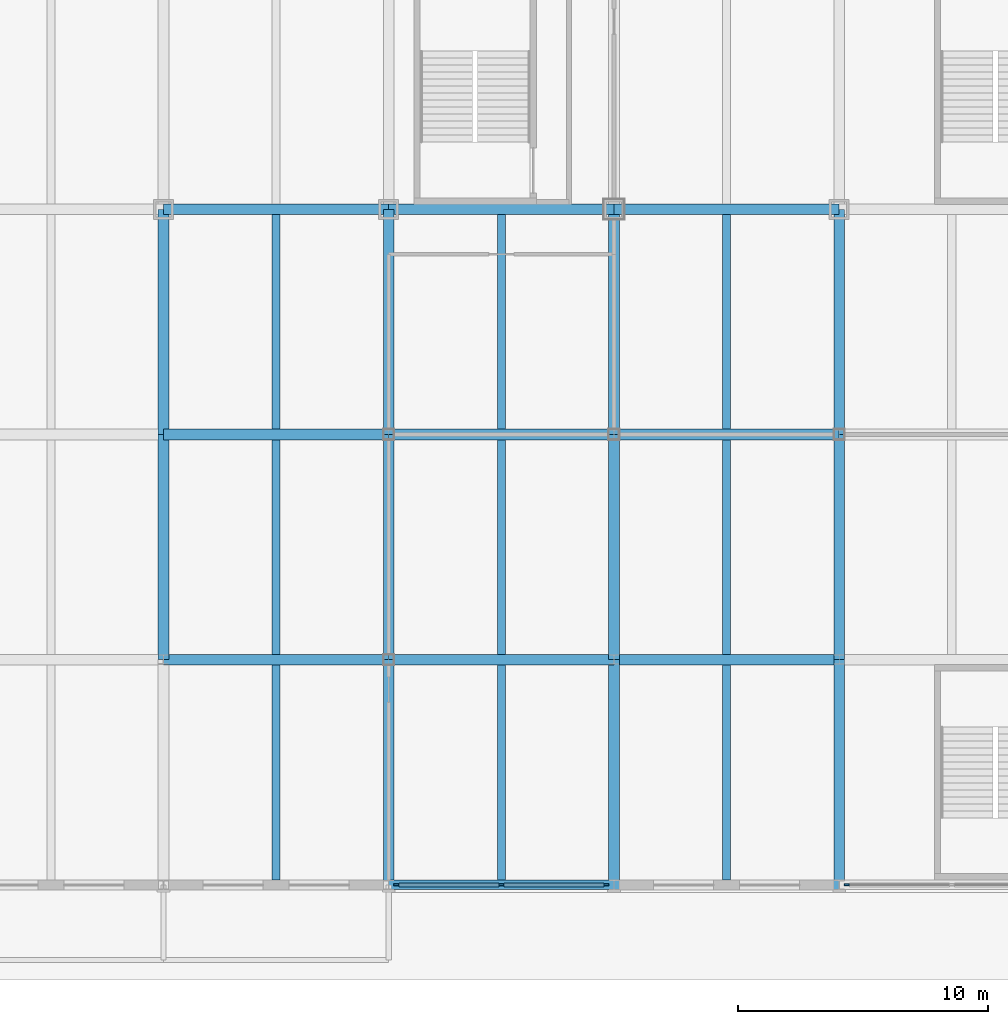
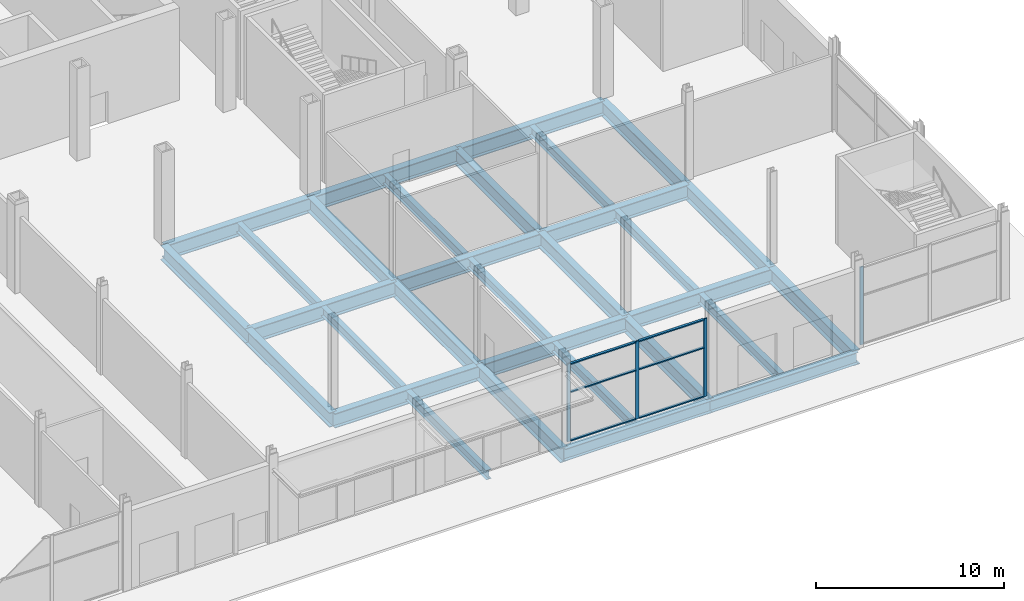
# One storey, part 8 of 34: 31 beams, 10 members, 2 elements without a shape of their own.
"""IFC4 building model written with IfcOpenShell, lengths in metres."""

from ifc_helpers import new_model, si_unit, direction, frame, origin, origin_2d, place, context, subcontext, project, spatial, rectangle, i_section, extrude, material, material_profile, profile_set, type_object, element, aggregate, save


model = new_model("IFC4")

# Units and contexts
model_context = context("Model", 3, precision=1e-05, world=origin(), true_north=direction((0.0, 1.0)))
body_context = subcontext(model_context, "Body", "Model", "MODEL_VIEW")
ifc_project = project(units=[si_unit("LENGTHUNIT", "METRE"), si_unit("AREAUNIT", "SQUARE_METRE"), si_unit("VOLUMEUNIT", "CUBIC_METRE"), si_unit("PLANEANGLEUNIT", "RADIAN"), si_unit("MASSUNIT", "GRAM", prefix="KILO")], contexts=[model_context])

# Site, building, storey
site_placement = place(None, origin())
site = spatial("IfcSite", under=ifc_project, at=site_placement, CompositionType="ELEMENT")
building_placement = place(site_placement, origin())
building = spatial("IfcBuilding", under=site, at=building_placement, Name="Loomwork Tower", CompositionType="ELEMENT")
storey_placement = place(building_placement, origin())
storey = spatial("IfcBuildingStorey", under=building, at=storey_placement, Name="L00", CompositionType="ELEMENT", Elevation=0.0)

# Beams
ifc_material_1 = material(Name="Steel ASTM A992", Category="steel")
ifc_material_profile_1 = material_profile(ifc_material_1, i_section(OverallWidth=0.381103515625, OverallDepth=0.77978515625, WebThickness=0.01806640625, FlangeThickness=0.0302734375, at=origin_2d()), Name="W30x191")
ifc_profile_set_1 = profile_set([ifc_material_profile_1], Name="Steel ASTM A992")
beam_type_1 = type_object("IfcBeamType", Name="EDGE GIRDER W30x191", PredefinedType="BEAM", material=ifc_profile_set_1)
for number, where, z_axis, x_axis, name in (
    (1, (36.0, -27.0, -0.68994140625), (1.0, 0.0, 0.0), (0.0, 1.0, 0.0), "Edge Girder A/6-A/7 L00"),
    (2, (45.0, -27.0, -0.68994140625), (1.0, 0.0, 0.0), (0.0, 1.0, 0.0), "Edge Girder A/7-A/8 L00"),
):
    element("IfcBeam", number, at=place(storey_placement, frame(where, z_axis=z_axis, x_axis=x_axis)), inside=storey, type_object=beam_type_1, Name=name, PredefinedType="BEAM", context=body_context, shape_type="SweptSolid", body=[
        extrude(i_section(OverallWidth=0.381103515625, OverallDepth=0.77978515625, WebThickness=0.01806640625, FlangeThickness=0.0302734375, at=origin_2d()), origin(), (0.0, 0.0, 1.0), 9.0),
    ])
ifc_material_2 = material(Name="Steel ASTM A992", Category="steel")
ifc_material_profile_2 = material_profile(ifc_material_2, i_section(OverallWidth=0.3251953125, OverallDepth=0.612060546875, WebThickness=0.0126953125, FlangeThickness=0.01904296875, at=origin_2d()), Name="W24x104")
ifc_profile_set_2 = profile_set([ifc_material_profile_2], Name="Steel ASTM A992")
beam_type_2 = type_object("IfcBeamType", Name="FLOOR JOIST W24x104", PredefinedType="JOIST", material=ifc_profile_set_2)
beam_1_placement = place(storey_placement, frame((31.5, -26.81005859375, -0.60595703125), z_axis=(0.0, 1.0, 0.0), x_axis=(-1.0, 0.0, 0.0)))
element("IfcBeam", 3, at=beam_1_placement, inside=storey, type_object=beam_type_2, Name="Floor Joist 31.500,-27.000-31.500,-18.000 L00", PredefinedType="JOIST", context=body_context, shape_type="SweptSolid", body=[
    extrude(i_section(OverallWidth=0.3251953125, OverallDepth=0.612060546875, WebThickness=0.0126953125, FlangeThickness=0.01904296875, at=origin_2d()), origin(), (0.0, 0.0, 1.0), 8.59814453125),
])
for number, where, z_axis, x_axis, name in (
    (4, (31.5, -17.7880859375, -0.60595703125), (0.0, 1.0, 0.0), (-1.0, 0.0, 0.0), "Floor Joist 31.500,-18.000-31.500,-9.000 L00"),
    (5, (31.5, -8.7880859375, -0.60595703125), (0.0, 1.0, 0.0), (-1.0, 0.0, 0.0), "Floor Joist 31.500,-9.000-31.500,0.000 L00"),
):
    element("IfcBeam", number, at=place(storey_placement, frame(where, z_axis=z_axis, x_axis=x_axis)), inside=storey, type_object=beam_type_2, Name=name, PredefinedType="JOIST", context=body_context, shape_type="SweptSolid", body=[
        extrude(i_section(OverallWidth=0.3251953125, OverallDepth=0.612060546875, WebThickness=0.0126953125, FlangeThickness=0.01904296875, at=origin_2d()), origin(), (0.0, 0.0, 1.0), 8.576171875),
    ])
beam_2_placement = place(storey_placement, frame((40.5, -26.81005859375, -0.60595703125), z_axis=(0.0, 1.0, 0.0), x_axis=(-1.0, 0.0, 0.0)))
element("IfcBeam", 6, at=beam_2_placement, inside=storey, type_object=beam_type_2, Name="Floor Joist 40.500,-27.000-40.500,-18.000 L00", PredefinedType="JOIST", context=body_context, shape_type="SweptSolid", body=[
    extrude(i_section(OverallWidth=0.3251953125, OverallDepth=0.612060546875, WebThickness=0.0126953125, FlangeThickness=0.01904296875, at=origin_2d()), origin(), (0.0, 0.0, 1.0), 8.59814453125),
])
for number, where, z_axis, x_axis, name in (
    (7, (40.5, -17.7880859375, -0.60595703125), (0.0, 1.0, 0.0), (-1.0, 0.0, 0.0), "Floor Joist 40.500,-18.000-40.500,-9.000 L00"),
    (8, (40.5, -8.7880859375, -0.60595703125), (0.0, 1.0, 0.0), (-1.0, 0.0, 0.0), "Floor Joist 40.500,-9.000-40.500,0.000 L00"),
):
    element("IfcBeam", number, at=place(storey_placement, frame(where, z_axis=z_axis, x_axis=x_axis)), inside=storey, type_object=beam_type_2, Name=name, PredefinedType="JOIST", context=body_context, shape_type="SweptSolid", body=[
        extrude(i_section(OverallWidth=0.3251953125, OverallDepth=0.612060546875, WebThickness=0.0126953125, FlangeThickness=0.01904296875, at=origin_2d()), origin(), (0.0, 0.0, 1.0), 8.576171875),
    ])
beam_3_placement = place(storey_placement, frame((49.5, -26.81005859375, -0.60595703125), z_axis=(0.0, 1.0, 0.0), x_axis=(-1.0, 0.0, 0.0)))
element("IfcBeam", 9, at=beam_3_placement, inside=storey, type_object=beam_type_2, Name="Floor Joist 49.500,-27.000-49.500,-18.000 L00", PredefinedType="JOIST", context=body_context, shape_type="SweptSolid", body=[
    extrude(i_section(OverallWidth=0.3251953125, OverallDepth=0.612060546875, WebThickness=0.0126953125, FlangeThickness=0.01904296875, at=origin_2d()), origin(), (0.0, 0.0, 1.0), 8.59814453125),
])
for number, where, z_axis, x_axis, name in (
    (10, (49.5, -17.7880859375, -0.60595703125), (0.0, 1.0, 0.0), (-1.0, 0.0, 0.0), "Floor Joist 49.500,-18.000-49.500,-9.000 L00"),
    (11, (49.5, -8.7880859375, -0.60595703125), (0.0, 1.0, 0.0), (-1.0, 0.0, 0.0), "Floor Joist 49.500,-9.000-49.500,0.000 L00"),
):
    element("IfcBeam", number, at=place(storey_placement, frame(where, z_axis=z_axis, x_axis=x_axis)), inside=storey, type_object=beam_type_2, Name=name, PredefinedType="JOIST", context=body_context, shape_type="SweptSolid", body=[
        extrude(i_section(OverallWidth=0.3251953125, OverallDepth=0.612060546875, WebThickness=0.0126953125, FlangeThickness=0.01904296875, at=origin_2d()), origin(), (0.0, 0.0, 1.0), 8.576171875),
    ])

# Curtain wall, members
ifc_material_3 = material(Name="Aluminium storefront frame", Category="aluminium")
curtain_wall_type = type_object("IfcCurtainWallType", Name="Storefront glazing", PredefinedType="NOTDEFINED", material=ifc_material_3)
curtain_wall_1_placement = place(storey_placement, origin())
curtain_wall_1 = element("IfcCurtainWall", 12, at=curtain_wall_1_placement, inside=storey, type_object=curtain_wall_type, Name="Storefront glazing cw/S-36", PredefinedType="NOTDEFINED")
ifc_material_4 = material(Name="Aluminium storefront frame", Category="aluminium")
ifc_material_profile_3 = material_profile(ifc_material_4, rectangle(XDim=0.074951171875, YDim=0.199951171875, at=origin_2d()), Name="AL 75x200")
ifc_profile_set_3 = profile_set([ifc_material_profile_3], Name="Aluminium storefront frame")
member_type_1 = type_object("IfcMemberType", Name="Storefront glazing mullion", PredefinedType="MULLION", material=ifc_profile_set_3)
member_1_placement = place(storey_placement, frame((36.30078125, -27.0, 0.0), z_axis=(0.0, 0.0, 1.0), x_axis=(0.0, 1.0, 0.0)))
member_1 = element("IfcMember", 13, at=member_1_placement, type_object=member_type_1, Name="CW7 mullion 1", PredefinedType="MULLION", context=body_context, shape_type="SweptSolid", body=[
    extrude(rectangle(XDim=0.074951171875, YDim=0.199951171875, at=origin_2d()), origin(), (0.0, 0.0, 1.0), 5.053955078125),
])
member_2_placement = place(storey_placement, frame((40.498046875, -27.0, 0.0), z_axis=(0.0, 0.0, 1.0), x_axis=(0.0, 1.0, 0.0)))
member_2 = element("IfcMember", 14, at=member_2_placement, type_object=member_type_1, Name="CW7 mullion 2", PredefinedType="MULLION", context=body_context, shape_type="SweptSolid", body=[
    extrude(rectangle(XDim=0.074951171875, YDim=0.199951171875, at=origin_2d()), origin(), (0.0, 0.0, 1.0), 5.053955078125),
])
member_3_placement = place(storey_placement, frame((44.695556640625, -27.0, 0.0), z_axis=(0.0, 0.0, 1.0), x_axis=(0.0, 1.0, 0.0)))
member_3 = element("IfcMember", 15, at=member_3_placement, type_object=member_type_1, Name="CW7 mullion 3", PredefinedType="MULLION", context=body_context, shape_type="SweptSolid", body=[
    extrude(rectangle(XDim=0.074951171875, YDim=0.199951171875, at=origin_2d()), origin(), (0.0, 0.0, 1.0), 5.053955078125),
])

# Curtain wall, member
curtain_wall_2_placement = place(storey_placement, origin())
curtain_wall_2 = element("IfcCurtainWall", 16, at=curtain_wall_2_placement, inside=storey, type_object=curtain_wall_type, Name="Storefront glazing cw/S-54", PredefinedType="NOTDEFINED")
member_4_placement = place(storey_placement, frame((54.304443359375, -27.0, 0.0), z_axis=(0.0, 0.0, 1.0), x_axis=(0.0, 1.0, 0.0)))
member_4 = element("IfcMember", 17, at=member_4_placement, type_object=member_type_1, Name="CW7 mullion 1", PredefinedType="MULLION", context=body_context, shape_type="SweptSolid", body=[
    extrude(rectangle(XDim=0.074951171875, YDim=0.199951171875, at=origin_2d()), origin(), (0.0, 0.0, 1.0), 5.053955078125),
])
aggregate(curtain_wall_2, [member_4])

# Member
ifc_material_5 = material(Name="Aluminium storefront frame", Category="aluminium")
ifc_material_profile_4 = material_profile(ifc_material_5, rectangle(XDim=0.14990234375, YDim=0.074951171875, at=origin_2d()), Name="AL 75x150")
ifc_profile_set_4 = profile_set([ifc_material_profile_4], Name="Aluminium storefront frame")
member_type_2 = type_object("IfcMemberType", Name="Storefront glazing transom", PredefinedType="USERDEFINED", material=ifc_profile_set_4)
member_5_placement = place(storey_placement, frame((36.400634765625, -27.0, 0.03759765625), z_axis=(1.0, 0.0, 0.0), x_axis=(0.0, 1.0, 0.0)))
member_5 = element("IfcMember", 18, at=member_5_placement, type_object=member_type_2, Name="CW7 transom 1.1", ObjectType="TRANSOM", PredefinedType="USERDEFINED", context=body_context, shape_type="SweptSolid", body=[
    extrude(rectangle(XDim=0.14990234375, YDim=0.074951171875, at=origin_2d()), origin(), (0.0, 0.0, 1.0), 3.99755859375),
])

member_6_placement = place(storey_placement, frame((36.400634765625, -27.0, 3.199951171875), z_axis=(1.0, 0.0, 0.0), x_axis=(0.0, 1.0, 0.0)))
member_6 = element("IfcMember", 19, at=member_6_placement, type_object=member_type_2, Name="CW7 transom 1.2", ObjectType="TRANSOM", PredefinedType="USERDEFINED", context=body_context, shape_type="SweptSolid", body=[
    extrude(rectangle(XDim=0.14990234375, YDim=0.074951171875, at=origin_2d()), origin(), (0.0, 0.0, 1.0), 3.99755859375),
])

member_7_placement = place(storey_placement, frame((36.400634765625, -27.0, 5.0166015625), z_axis=(1.0, 0.0, 0.0), x_axis=(0.0, 1.0, 0.0)))
member_7 = element("IfcMember", 20, at=member_7_placement, type_object=member_type_2, Name="CW7 transom 1.3", ObjectType="TRANSOM", PredefinedType="USERDEFINED", context=body_context, shape_type="SweptSolid", body=[
    extrude(rectangle(XDim=0.14990234375, YDim=0.074951171875, at=origin_2d()), origin(), (0.0, 0.0, 1.0), 3.99755859375),
])

member_8_placement = place(storey_placement, frame((40.59814453125, -27.0, 0.03759765625), z_axis=(1.0, 0.0, 0.0), x_axis=(0.0, 1.0, 0.0)))
member_8 = element("IfcMember", 21, at=member_8_placement, type_object=member_type_2, Name="CW7 transom 2.1", ObjectType="TRANSOM", PredefinedType="USERDEFINED", context=body_context, shape_type="SweptSolid", body=[
    extrude(rectangle(XDim=0.14990234375, YDim=0.074951171875, at=origin_2d()), origin(), (0.0, 0.0, 1.0), 3.997314453125),
])

member_9_placement = place(storey_placement, frame((40.59814453125, -27.0, 3.199951171875), z_axis=(1.0, 0.0, 0.0), x_axis=(0.0, 1.0, 0.0)))
member_9 = element("IfcMember", 22, at=member_9_placement, type_object=member_type_2, Name="CW7 transom 2.2", ObjectType="TRANSOM", PredefinedType="USERDEFINED", context=body_context, shape_type="SweptSolid", body=[
    extrude(rectangle(XDim=0.14990234375, YDim=0.074951171875, at=origin_2d()), origin(), (0.0, 0.0, 1.0), 3.997314453125),
])

member_10_placement = place(storey_placement, frame((40.59814453125, -27.0, 5.0166015625), z_axis=(1.0, 0.0, 0.0), x_axis=(0.0, 1.0, 0.0)))
member_10 = element("IfcMember", 23, at=member_10_placement, type_object=member_type_2, Name="CW7 transom 2.3", ObjectType="TRANSOM", PredefinedType="USERDEFINED", context=body_context, shape_type="SweptSolid", body=[
    extrude(rectangle(XDim=0.14990234375, YDim=0.074951171875, at=origin_2d()), origin(), (0.0, 0.0, 1.0), 3.997314453125),
])

aggregate(curtain_wall_1, [member_1, member_2, member_3, member_5, member_6, member_7, member_8, member_9, member_10])

# Beams
ifc_material_6 = material(Name="Steel ASTM A992", Category="steel")
ifc_material_profile_5 = material_profile(ifc_material_6, i_section(OverallWidth=0.424072265625, OverallDepth=0.947509765625, WebThickness=0.02392578125, FlangeThickness=0.042724609375, at=origin_2d()), Name="W36x302")
ifc_profile_set_5 = profile_set([ifc_material_profile_5], Name="Steel ASTM A992")
beam_type_3 = type_object("IfcBeamType", Name="TRANSFER FLOOR GIRDER W36x302", PredefinedType="BEAM", material=ifc_profile_set_5)
for number, where, z_axis, x_axis, name in (
    (24, (27.0, -18.0, -0.773681640625), (1.0, 0.0, 0.0), (0.0, 1.0, 0.0), "Transfer Floor Girder B/5-B/6 L00"),
    (25, (36.0, -18.0, -0.773681640625), (1.0, 0.0, 0.0), (0.0, 1.0, 0.0), "Transfer Floor Girder B/6-B/7 L00"),
    (26, (45.0, -18.0, -0.773681640625), (1.0, 0.0, 0.0), (0.0, 1.0, 0.0), "Transfer Floor Girder B/7-B/8 L00"),
    (27, (27.0, -9.0, -0.773681640625), (1.0, 0.0, 0.0), (0.0, 1.0, 0.0), "Transfer Floor Girder C/5-C/6 L00"),
    (28, (36.0, -9.0, -0.773681640625), (1.0, 0.0, 0.0), (0.0, 1.0, 0.0), "Transfer Floor Girder C/6-C/7 L00"),
    (29, (45.0, -9.0, -0.773681640625), (1.0, 0.0, 0.0), (0.0, 1.0, 0.0), "Transfer Floor Girder C/7-C/8 L00"),
    (30, (27.0, 0.0, -0.773681640625), (1.0, 0.0, 0.0), (0.0, 1.0, 0.0), "Transfer Floor Girder D/5-D/6 L00"),
    (31, (36.0, 0.0, -0.773681640625), (1.0, 0.0, 0.0), (0.0, 1.0, 0.0), "Transfer Floor Girder D/6-D/7 L00"),
    (32, (45.0, 0.0, -0.773681640625), (1.0, 0.0, 0.0), (0.0, 1.0, 0.0), "Transfer Floor Girder D/7-D/8 L00"),
    (33, (27.0, -18.0, -0.773681640625), (0.0, 1.0, 0.0), (-1.0, 0.0, 0.0), "Transfer Floor Girder B/5-C/5 L00"),
    (34, (27.0, -9.0, -0.773681640625), (0.0, 1.0, 0.0), (-1.0, 0.0, 0.0), "Transfer Floor Girder C/5-D/5 L00"),
    (35, (36.0, -27.0, -0.773681640625), (0.0, 1.0, 0.0), (-1.0, 0.0, 0.0), "Transfer Floor Girder A/6-B/6 L00"),
    (36, (36.0, -18.0, -0.773681640625), (0.0, 1.0, 0.0), (-1.0, 0.0, 0.0), "Transfer Floor Girder B/6-C/6 L00"),
    (37, (36.0, -9.0, -0.773681640625), (0.0, 1.0, 0.0), (-1.0, 0.0, 0.0), "Transfer Floor Girder C/6-D/6 L00"),
    (38, (45.0, -27.0, -0.773681640625), (0.0, 1.0, 0.0), (-1.0, 0.0, 0.0), "Transfer Floor Girder A/7-B/7 L00"),
    (39, (45.0, -18.0, -0.773681640625), (0.0, 1.0, 0.0), (-1.0, 0.0, 0.0), "Transfer Floor Girder B/7-C/7 L00"),
    (40, (45.0, -9.0, -0.773681640625), (0.0, 1.0, 0.0), (-1.0, 0.0, 0.0), "Transfer Floor Girder C/7-D/7 L00"),
    (41, (54.0, -27.0, -0.773681640625), (0.0, 1.0, 0.0), (-1.0, 0.0, 0.0), "Transfer Floor Girder A/8-B/8 L00"),
    (42, (54.0, -18.0, -0.773681640625), (0.0, 1.0, 0.0), (-1.0, 0.0, 0.0), "Transfer Floor Girder B/8-C/8 L00"),
    (43, (54.0, -9.0, -0.773681640625), (0.0, 1.0, 0.0), (-1.0, 0.0, 0.0), "Transfer Floor Girder C/8-D/8 L00"),
):
    element("IfcBeam", number, at=place(storey_placement, frame(where, z_axis=z_axis, x_axis=x_axis)), inside=storey, type_object=beam_type_3, Name=name, PredefinedType="BEAM", context=body_context, shape_type="SweptSolid", body=[
        extrude(i_section(OverallWidth=0.424072265625, OverallDepth=0.947509765625, WebThickness=0.02392578125, FlangeThickness=0.042724609375, at=origin_2d()), origin(), (0.0, 0.0, 1.0), 9.0),
    ])

save(model, "model.ifc")
